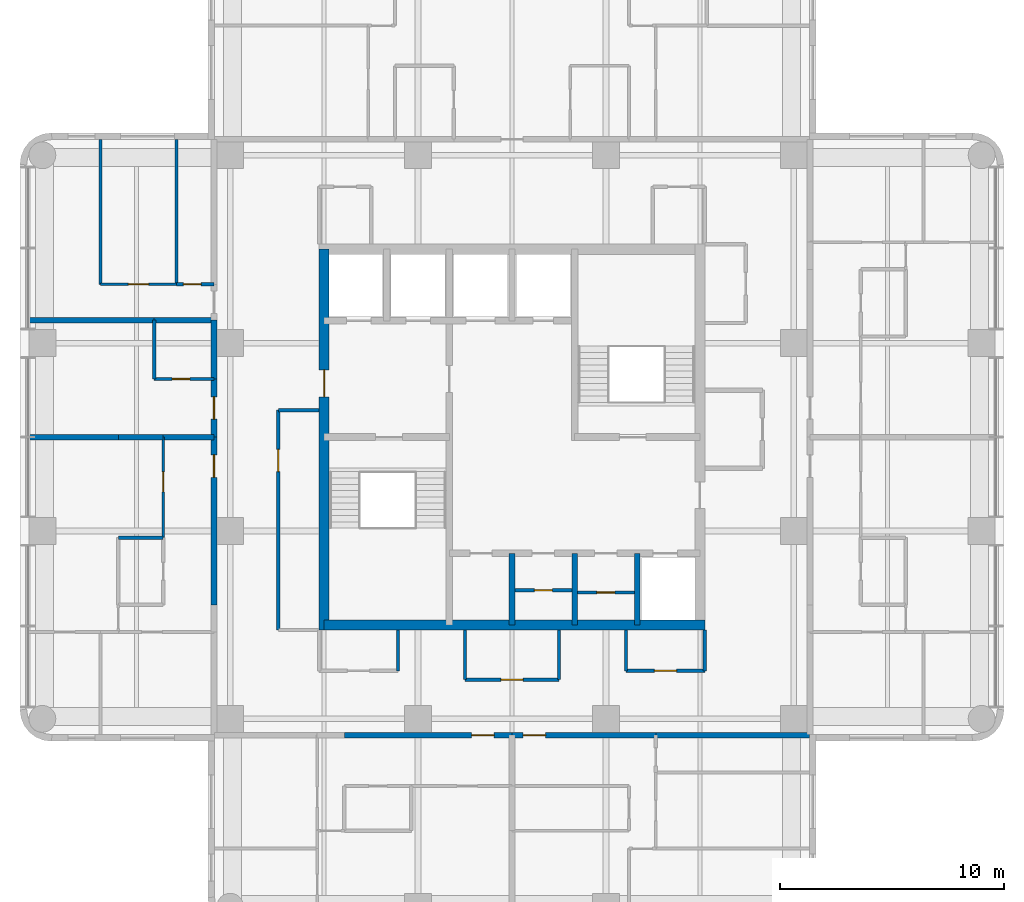
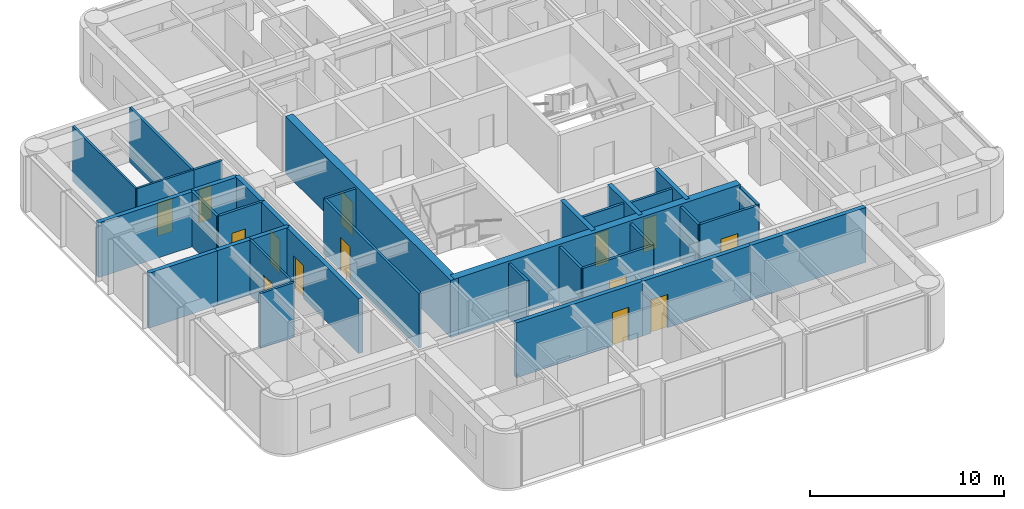
# One storey, part 5 of 10: 35 walls, 14 doors, 14 openings.
"""IFC4 building model written with IfcOpenShell, lengths in metres."""

from ifc_helpers import new_model, si_unit, direction, frame, frame_2d, origin, place, context, subcontext, project, spatial, rectangle, extrude, material, layer, layer_set, type_object, element, fill, save


model = new_model("IFC4")

# Units and contexts
model_context = context("Model", 3, precision=1e-05, world=origin(), true_north=direction((0.0, 1.0)))
body_context = subcontext(model_context, "Body", "Model", "MODEL_VIEW")
ifc_project = project(units=[si_unit("LENGTHUNIT", "METRE"), si_unit("AREAUNIT", "SQUARE_METRE"), si_unit("VOLUMEUNIT", "CUBIC_METRE"), si_unit("PLANEANGLEUNIT", "RADIAN"), si_unit("MASSUNIT", "GRAM", prefix="KILO")], contexts=[model_context])

# Site, building, storey
site_placement = place(None, origin())
site = spatial("IfcSite", under=ifc_project, at=site_placement, CompositionType="ELEMENT")
building_placement = place(site_placement, origin())
building = spatial("IfcBuilding", under=site, at=building_placement, Name="Torre Alcanfor", CompositionType="ELEMENT")
storey_placement = place(building_placement, frame((0.0, 0.0, 293.699951171875)))
storey = spatial("IfcBuildingStorey", under=building, at=storey_placement, Name="L77", CompositionType="ELEMENT", Elevation=293.699951171875)

# Wall, opening, door
ifc_material_1 = material(Name="Concrete block masonry, hollow blocks NMX-C-404 9 MPa", Category="masonry")
ifc_layer_1 = layer(ifc_material_1, 0.25)
ifc_layer_set_1 = layer_set([ifc_layer_1], Name="Apartment entrance wall 250 EI 60")
wall_type_1 = type_object("IfcWallType", Name="Apartment entrance wall 250 EI 60", PredefinedType="PARTITIONING", material=ifc_layer_set_1)
wall_1_placement = place(storey_placement, frame((35.8291015625, 16.074951171875, 0.0), z_axis=(0.0, 0.0, 1.0), x_axis=(-1.0, 0.0, 0.0)))
wall_1 = element("IfcWall", 1, at=wall_1_placement, inside=storey, type_object=wall_type_1, Name="Partition L77-CORR / L77-S1-LIVING", PredefinedType="PARTITIONING", context=body_context, shape_type="SweptSolid", body=[
    extrude(rectangle(XDim=6.42919921875, YDim=0.25, at=frame_2d((3.214599609375, 0.0))), origin(), (0.0, 0.0, 1.0), 3.449951171875),
])
opening_1_placement = place(wall_1_placement, frame((4.928955078125, 0.0, 0.0)))
opening_1 = element("IfcOpeningElement", 2, at=opening_1_placement, cuts=wall_1, Name="Opening D-A1", PredefinedType="OPENING", context=body_context, shape_type="SweptSolid", body=[
    extrude(rectangle(XDim=1.0, YDim=2.10009765625, at=frame_2d((0.5, 1.050048828125))), frame((0.0, 0.135009765625, 0.0), z_axis=(0.0, -1.0, 0.0), x_axis=(1.0, 0.0, 0.0)), (0.0, 0.0, 1.0), 0.27001953125),
])
ifc_material_2 = material(Name="Galvanised steel sheet ASTM A653", Category="steel")
door_type_1 = type_object("IfcDoorType", Name="Apartment entrance door FD60 1000x2100", OperationType="SINGLE_SWING_LEFT", PredefinedType="DOOR", material=ifc_material_2)
door_1_placement = place(opening_1_placement, origin())
door_1 = element("IfcDoor", 3, at=door_1_placement, inside=storey, type_object=door_type_1, Name="Apartment entrance L77-S1", OperationType="SINGLE_SWING_RIGHT", OverallHeight=2.10009765625, OverallWidth=1.0, PredefinedType="DOOR", context=body_context, shape_type="SweptSolid", body=[
    extrude(rectangle(XDim=1.0, YDim=2.10009765625, at=frame_2d((0.5, 1.050048828125))), frame((0.0, 0.02490234375, 0.0), z_axis=(0.0, -1.0, 0.0), x_axis=(1.0, 0.0, 0.0)), (0.0, 0.0, 1.0), 0.050048828125),
])
fill(opening_1, door_1)

# Wall
wall_2_placement = place(storey_placement, frame((42.699951171875, 16.074951171875, 0.0), z_axis=(0.0, 0.0, 1.0), x_axis=(-1.0, 0.0, 0.0)))
element("IfcWall", 4, at=wall_2_placement, inside=storey, type_object=wall_type_1, Name="Partition L77-CORR / L77-S1-BATH", PredefinedType="PARTITIONING", context=body_context, shape_type="SweptSolid", body=[
    extrude(rectangle(XDim=6.870849609375, YDim=0.25, at=frame_2d((3.435546875, 0.0))), origin(), (0.0, 0.0, 1.0), 3.449951171875),
])

# Wall, opening, door
wall_3_placement = place(storey_placement, frame((29.39990234375, 16.074951171875, 0.0), z_axis=(0.0, 0.0, 1.0), x_axis=(-1.0, 0.0, 0.0)))
wall_3 = element("IfcWall", 5, at=wall_3_placement, inside=storey, type_object=wall_type_1, Name="Partition L77-CORR / L77-S2-ZAG", PredefinedType="PARTITIONING", context=body_context, shape_type="SweptSolid", body=[
    extrude(rectangle(XDim=7.5, YDim=0.25, at=frame_2d((3.75, 0.0))), origin(), (0.0, 0.0, 1.0), 3.449951171875),
])
opening_2_placement = place(wall_3_placement, frame((0.800048828125, 0.0, 0.0)))
opening_2 = element("IfcOpeningElement", 6, at=opening_2_placement, cuts=wall_3, Name="Opening D-A1", PredefinedType="OPENING", context=body_context, shape_type="SweptSolid", body=[
    extrude(rectangle(XDim=1.0, YDim=2.10009765625, at=frame_2d((0.5, 1.050048828125))), frame((0.0, 0.135009765625, 0.0), z_axis=(0.0, -1.0, 0.0), x_axis=(1.0, 0.0, 0.0)), (0.0, 0.0, 1.0), 0.27001953125),
])
door_2_placement = place(opening_2_placement, origin())
door_2 = element("IfcDoor", 7, at=door_2_placement, inside=storey, type_object=door_type_1, Name="Apartment entrance L77-S2", OperationType="SINGLE_SWING_LEFT", OverallHeight=2.10009765625, OverallWidth=1.0, PredefinedType="DOOR", context=body_context, shape_type="SweptSolid", body=[
    extrude(rectangle(XDim=1.0, YDim=2.10009765625, at=frame_2d((0.5, 1.050048828125))), frame((0.0, 0.02490234375, 0.0), z_axis=(0.0, -1.0, 0.0), x_axis=(1.0, 0.0, 0.0)), (0.0, 0.0, 1.0), 0.050048828125),
])
fill(opening_2, door_2)

wall_4_placement = place(storey_placement, frame((16.074951171875, 21.89990234375, 0.0), z_axis=(0.0, 0.0, 1.0), x_axis=(0.0, 1.0, 0.0)))
wall_4 = element("IfcWall", 8, at=wall_4_placement, inside=storey, type_object=wall_type_1, Name="Partition L77-CORR / L77-W1-ZAG", PredefinedType="PARTITIONING", context=body_context, shape_type="SweptSolid", body=[
    extrude(rectangle(XDim=7.5, YDim=0.25, at=frame_2d((3.75, 0.0))), origin(), (0.0, 0.0, 1.0), 3.449951171875),
])
opening_3_placement = place(wall_4_placement, frame((5.699951171875, 0.0, 0.0)))
opening_3 = element("IfcOpeningElement", 9, at=opening_3_placement, cuts=wall_4, Name="Opening D-A1", PredefinedType="OPENING", context=body_context, shape_type="SweptSolid", body=[
    extrude(rectangle(XDim=1.0, YDim=2.10009765625, at=frame_2d((0.5, 1.050048828125))), frame((0.0, 0.135009765625, 0.0), z_axis=(0.0, -1.0, 0.0), x_axis=(1.0, 0.0, 0.0)), (0.0, 0.0, 1.0), 0.27001953125),
])
door_3_placement = place(opening_3_placement, origin())
door_3 = element("IfcDoor", 10, at=door_3_placement, inside=storey, type_object=door_type_1, Name="Apartment entrance L77-W1", OperationType="SINGLE_SWING_RIGHT", OverallHeight=2.10009765625, OverallWidth=1.0, PredefinedType="DOOR", context=body_context, shape_type="SweptSolid", body=[
    extrude(rectangle(XDim=1.0, YDim=2.10009765625, at=frame_2d((0.5, 1.050048828125))), frame((0.0, 0.02490234375, 0.0), z_axis=(0.0, -1.0, 0.0), x_axis=(1.0, 0.0, 0.0)), (0.0, 0.0, 1.0), 0.050048828125),
])
fill(opening_3, door_3)

wall_5_placement = place(storey_placement, frame((16.074951171875, 29.39990234375, 0.0), z_axis=(0.0, 0.0, 1.0), x_axis=(0.0, 1.0, 0.0)))
wall_5 = element("IfcWall", 11, at=wall_5_placement, inside=storey, type_object=wall_type_1, Name="Partition L77-CORR / L77-W2A-STUDIO", PredefinedType="PARTITIONING", context=body_context, shape_type="SweptSolid", body=[
    extrude(rectangle(XDim=2.60009765625, YDim=0.25, at=frame_2d((1.300048828125, 0.0))), origin(), (0.0, 0.0, 1.0), 3.449951171875),
])
opening_4_placement = place(wall_5_placement, frame((0.800048828125, 0.0, 0.0)))
opening_4 = element("IfcOpeningElement", 12, at=opening_4_placement, cuts=wall_5, Name="Opening D-A1", PredefinedType="OPENING", context=body_context, shape_type="SweptSolid", body=[
    extrude(rectangle(XDim=1.0, YDim=2.10009765625, at=frame_2d((0.5, 1.050048828125))), frame((0.0, 0.135009765625, 0.0), z_axis=(0.0, -1.0, 0.0), x_axis=(1.0, 0.0, 0.0)), (0.0, 0.0, 1.0), 0.27001953125),
])
door_4_placement = place(opening_4_placement, origin())
door_4 = element("IfcDoor", 13, at=door_4_placement, inside=storey, type_object=door_type_1, Name="Apartment entrance L77-W2A", OperationType="SINGLE_SWING_LEFT", OverallHeight=2.10009765625, OverallWidth=1.0, PredefinedType="DOOR", context=body_context, shape_type="SweptSolid", body=[
    extrude(rectangle(XDim=1.0, YDim=2.10009765625, at=frame_2d((0.5, 1.050048828125))), frame((0.0, 0.02490234375, 0.0), z_axis=(0.0, -1.0, 0.0), x_axis=(1.0, 0.0, 0.0)), (0.0, 0.0, 1.0), 0.050048828125),
])
fill(opening_4, door_4)

# Wall
wall_6_placement = place(storey_placement, frame((16.074951171875, 32.0, 0.0), z_axis=(0.0, 0.0, 1.0), x_axis=(0.0, 1.0, 0.0)))
element("IfcWall", 14, at=wall_6_placement, inside=storey, type_object=wall_type_1, Name="Partition L77-CORR / L77-W2A-BATH", PredefinedType="PARTITIONING", context=body_context, shape_type="SweptSolid", body=[
    extrude(rectangle(XDim=2.62890625, YDim=0.25, at=frame_2d((1.314453125, 0.0))), origin(), (0.0, 0.0, 1.0), 3.449951171875),
])

# Wall, opening, door
ifc_material_3 = material(Name="Gypsum board on steel studs", Category="steel")
ifc_layer_2 = layer(ifc_material_3, 0.1201171875)
ifc_layer_set_2 = layer_set([ifc_layer_2], Name="Apartment partition 120")
wall_type_2 = type_object("IfcWallType", Name="Apartment partition 120", PredefinedType="PARTITIONING", material=ifc_layer_set_2)
wall_7_placement = place(storey_placement, frame((13.800048828125, 29.39990234375, 0.0), z_axis=(0.0, 0.0, 1.0), x_axis=(0.0, -1.0, 0.0)))
wall_7 = element("IfcWall", 15, at=wall_7_placement, inside=storey, type_object=wall_type_2, Name="Partition L77-W1-ZAG / L77-W1-KITCHEN", PredefinedType="PARTITIONING", context=body_context, shape_type="SweptSolid", body=[
    extrude(rectangle(XDim=4.5, YDim=0.1201171875, at=frame_2d((2.25, 0.0))), origin(), (0.0, 0.0, 1.0), 3.449951171875),
])
opening_5_placement = place(wall_7_placement, frame((1.550048828125, 0.0, 0.0)))
opening_5 = element("IfcOpeningElement", 16, at=opening_5_placement, cuts=wall_7, Name="Opening D-R1", PredefinedType="OPENING", context=body_context, shape_type="SweptSolid", body=[
    extrude(rectangle(XDim=0.89990234375, YDim=2.10009765625, at=frame_2d((0.449951171875, 1.050048828125))), frame((0.0, 0.070068359375, 0.0), z_axis=(0.0, -1.0, 0.0), x_axis=(1.0, 0.0, 0.0)), (0.0, 0.0, 1.0), 0.14013671875),
])
ifc_material_4 = material(Name="Timber", Category="wood")
door_type_2 = type_object("IfcDoorType", Name="Internal door 900x2100", OperationType="SINGLE_SWING_LEFT", PredefinedType="DOOR", material=ifc_material_4)
door_5_placement = place(opening_5_placement, frame((0.89990234375, 0.0, 0.0), z_axis=(0.0, 0.0, 1.0), x_axis=(-1.0, 0.0, 0.0)))
door_5 = element("IfcDoor", 17, at=door_5_placement, inside=storey, type_object=door_type_2, Name="Door L77-W1 kitchen", OperationType="SINGLE_SWING_RIGHT", OverallHeight=2.10009765625, OverallWidth=0.89990234375, PredefinedType="DOOR", context=body_context, shape_type="SweptSolid", body=[
    extrude(rectangle(XDim=0.89990234375, YDim=2.10009765625, at=frame_2d((0.449951171875, 1.050048828125))), frame((0.0, 0.025146484375, 0.0), z_axis=(0.0, -1.0, 0.0), x_axis=(1.0, 0.0, 0.0)), (0.0, 0.0, 1.0), 0.050048828125),
])
fill(opening_5, door_5)

# Wall
wall_8_placement = place(storey_placement, frame((11.0, 42.699951171875, 0.0), z_axis=(0.0, 0.0, 1.0), x_axis=(0.0, -1.0, 0.0)))
element("IfcWall", 18, at=wall_8_placement, inside=storey, type_object=wall_type_2, Name="Partition L77-W2B-LIVING / L77-W2B-MASTER", PredefinedType="PARTITIONING", context=body_context, shape_type="SweptSolid", body=[
    extrude(rectangle(XDim=6.470947265625, YDim=0.1201171875, at=frame_2d((3.2353515625, 0.0))), origin(), (0.0, 0.0, 1.0), 3.449951171875),
])

# Wall, opening, door
wall_9_placement = place(storey_placement, frame((11.0, 36.22900390625, 0.0), z_axis=(0.0, 0.0, 1.0), x_axis=(1.0, 0.0, 0.0)))
wall_9 = element("IfcWall", 19, at=wall_9_placement, inside=storey, type_object=wall_type_2, Name="Partition L77-W2B-LIVING / L77-W2B-MASTER", PredefinedType="PARTITIONING", context=body_context, shape_type="SweptSolid", body=[
    extrude(rectangle(XDim=3.39990234375, YDim=0.1201171875, at=frame_2d((1.699951171875, 0.0))), origin(), (0.0, 0.0, 1.0), 3.449951171875),
])
opening_6_placement = place(wall_9_placement, frame((1.25, 0.0, 0.0)))
opening_6 = element("IfcOpeningElement", 20, at=opening_6_placement, cuts=wall_9, Name="Opening D-R1", PredefinedType="OPENING", context=body_context, shape_type="SweptSolid", body=[
    extrude(rectangle(XDim=0.89990234375, YDim=2.10009765625, at=frame_2d((0.449951171875, 1.050048828125))), frame((0.0, 0.070068359375, 0.0), z_axis=(0.0, -1.0, 0.0), x_axis=(1.0, 0.0, 0.0)), (0.0, 0.0, 1.0), 0.14013671875),
])
door_6_placement = place(opening_6_placement, origin())
door_6 = element("IfcDoor", 21, at=door_6_placement, inside=storey, type_object=door_type_2, Name="Door L77-W2B master", OperationType="SINGLE_SWING_LEFT", OverallHeight=2.10009765625, OverallWidth=0.89990234375, PredefinedType="DOOR", context=body_context, shape_type="SweptSolid", body=[
    extrude(rectangle(XDim=0.89990234375, YDim=2.10009765625, at=frame_2d((0.449951171875, 1.050048828125))), frame((0.0, 0.02490234375, 0.0), z_axis=(0.0, -1.0, 0.0), x_axis=(1.0, 0.0, 0.0)), (0.0, 0.0, 1.0), 0.050048828125),
])
fill(opening_6, door_6)

# Walls
ifc_material_5 = material(Name="Concrete f'c 70 MPa", Category="concrete")
ifc_layer_3 = layer(ifc_material_5, 0.25)
ifc_layer_set_3 = layer_set([ifc_layer_3], Name="Core shaft wall 250 f'c70")
wall_type_3 = type_object("IfcWallType", Name="Core shaft wall 250 f'c70", PredefinedType="SHEAR", material=ifc_layer_set_3)
for number, where, z_axis, x_axis, name in (
    (22, (29.39990234375, 21.0, 0.0), (0.0, 0.0, 1.0), (0.0, 1.0, 0.0), "Core wall X294S L77"),
    (23, (32.199951171875, 21.0, 0.0), (0.0, 0.0, 1.0), (0.0, 1.0, 0.0), "Core wall X322S L77"),
    (24, (35.0, 21.0, 0.0), (0.0, 0.0, 1.0), (0.0, 1.0, 0.0), "Core wall X350S L77"),
):
    element("IfcWall", number, at=place(storey_placement, frame(where, z_axis=z_axis, x_axis=x_axis)), inside=storey, type_object=wall_type_3, Name=name, PredefinedType="SHEAR", context=body_context, shape_type="SweptSolid", body=[
        extrude(rectangle(XDim=3.199951171875, YDim=0.25, at=frame_2d((1.60009765625, 0.0))), origin(), (0.0, 0.0, 1.0), 3.60009765625),
    ])
ifc_material_6 = material(Name="Concrete f'c 70 MPa", Category="concrete")
ifc_layer_4 = layer(ifc_material_6, 0.449951171875)
ifc_layer_set_4 = layer_set([ifc_layer_4], Name="Core wall 450 f'c70")
wall_type_4 = type_object("IfcWallType", Name="Core wall 450 f'c70", PredefinedType="SHEAR", material=ifc_layer_set_4)
wall_10_placement = place(storey_placement, frame((21.0, 21.0, 0.0), z_axis=(0.0, 0.0, 1.0), x_axis=(1.0, 0.0, 0.0)))
element("IfcWall", 25, at=wall_10_placement, inside=storey, type_object=wall_type_4, Name="Core wall OUT-S L77", PredefinedType="SHEAR", context=body_context, shape_type="SweptSolid", body=[
    extrude(rectangle(XDim=17.02490234375, YDim=0.449951171875, at=frame_2d((8.512451171875, 0.0))), origin(), (0.0, 0.0, 1.0), 3.60009765625),
])

# Wall, opening, door
wall_11_placement = place(storey_placement, frame((21.0, 37.800048828125, 0.0), z_axis=(0.0, 0.0, 1.0), x_axis=(0.0, -1.0, 0.0)))
wall_11 = element("IfcWall", 26, at=wall_11_placement, inside=storey, type_object=wall_type_4, Name="Core wall OUT-W L77", PredefinedType="SHEAR", context=body_context, shape_type="SweptSolid", body=[
    extrude(rectangle(XDim=17.025146484375, YDim=0.449951171875, at=frame_2d((8.5126953125, 0.0))), origin(), (0.0, 0.0, 1.0), 3.60009765625),
])
opening_7_placement = place(wall_11_placement, frame((5.39990234375, 0.0, 0.0)))
opening_7 = element("IfcOpeningElement", 27, at=opening_7_placement, cuts=wall_11, Name="Opening D-L1", PredefinedType="OPENING", context=body_context, shape_type="SweptSolid", body=[
    extrude(rectangle(XDim=1.199951171875, YDim=2.10009765625, at=frame_2d((0.60009765625, 1.050048828125))), frame((0.0, 0.23486328125, 0.0), z_axis=(0.0, -1.0, 0.0), x_axis=(1.0, 0.0, 0.0)), (0.0, 0.0, 1.0), 0.469970703125),
])
ifc_material_7 = material(Name="Galvanised steel sheet ASTM A653", Category="steel")
door_type_3 = type_object("IfcDoorType", Name="Lobby door FD120 1200x2100", OperationType="SINGLE_SWING_LEFT", PredefinedType="DOOR", material=ifc_material_7)
door_7_placement = place(opening_7_placement, origin())
door_7 = element("IfcDoor", 28, at=door_7_placement, inside=storey, type_object=door_type_3, Name="Firefighting lobby door L77", OperationType="SINGLE_SWING_RIGHT", OverallHeight=2.10009765625, OverallWidth=1.199951171875, PredefinedType="DOOR", context=body_context, shape_type="SweptSolid", body=[
    extrude(rectangle(XDim=1.199951171875, YDim=2.10009765625, at=frame_2d((0.60009765625, 1.050048828125))), frame((0.0, 0.02490234375, 0.0), z_axis=(0.0, -1.0, 0.0), x_axis=(1.0, 0.0, 0.0)), (0.0, 0.0, 1.0), 0.050048828125),
])
fill(opening_7, door_7)

# Walls
ifc_material_8 = material(Name="Concrete block masonry, hollow blocks NMX-C-404 9 MPa", Category="masonry")
ifc_layer_5 = layer(ifc_material_8, 0.25)
ifc_layer_set_5 = layer_set([ifc_layer_5], Name="Party wall 250 EI 60")
wall_type_5 = type_object("IfcWallType", Name="Party wall 250 EI 60", PredefinedType="PARTITIONING", material=ifc_layer_set_5)
wall_12_placement = place(storey_placement, frame((16.074951171875, 29.39990234375, 0.0), z_axis=(0.0, 0.0, 1.0), x_axis=(-1.0, 0.0, 0.0)))
element("IfcWall", 29, at=wall_12_placement, inside=storey, type_object=wall_type_5, Name="Partition L77-W1-ZAG / L77-W2A-STUDIO", PredefinedType="PARTITIONING", context=body_context, shape_type="SweptSolid", body=[
    extrude(rectangle(XDim=2.27490234375, YDim=0.25, at=frame_2d((1.137451171875, 0.0))), origin(), (0.0, 0.0, 1.0), 3.449951171875),
])
wall_13_placement = place(storey_placement, frame((13.800048828125, 29.39990234375, 0.0), z_axis=(0.0, 0.0, 1.0), x_axis=(-1.0, 0.0, 0.0)))
element("IfcWall", 30, at=wall_13_placement, inside=storey, type_object=wall_type_5, Name="Partition L77-W1-KITCHEN / L77-W2A-STUDIO", PredefinedType="PARTITIONING", context=body_context, shape_type="SweptSolid", body=[
    extrude(rectangle(XDim=2.0, YDim=0.25, at=frame_2d((1.0, 0.0))), origin(), (0.0, 0.0, 1.0), 3.449951171875),
])
wall_14_placement = place(storey_placement, frame((11.800048828125, 29.39990234375, 0.0), z_axis=(0.0, 0.0, 1.0), x_axis=(-1.0, 0.0, 0.0)))
element("IfcWall", 31, at=wall_14_placement, inside=storey, type_object=wall_type_5, Name="Partition L77-W1-LIVING / L77-W2A-STUDIO", PredefinedType="PARTITIONING", context=body_context, shape_type="SweptSolid", body=[
    extrude(rectangle(XDim=4.050048828125, YDim=0.25, at=frame_2d((2.02490234375, 0.0))), origin(), (0.0, 0.0, 1.0), 3.449951171875),
])
wall_15_placement = place(storey_placement, frame((7.75, 34.62890625, 0.0), z_axis=(0.0, 0.0, 1.0), x_axis=(1.0, 0.0, 0.0)))
element("IfcWall", 32, at=wall_15_placement, inside=storey, type_object=wall_type_5, Name="Partition L77-W2A-STUDIO / L77-W2B-LIVING", PredefinedType="PARTITIONING", context=body_context, shape_type="SweptSolid", body=[
    extrude(rectangle(XDim=5.64990234375, YDim=0.25, at=frame_2d((2.824951171875, 0.0))), origin(), (0.0, 0.0, 1.0), 3.449951171875),
])
wall_16_placement = place(storey_placement, frame((13.39990234375, 34.62890625, 0.0), z_axis=(0.0, 0.0, 1.0), x_axis=(1.0, 0.0, 0.0)))
element("IfcWall", 33, at=wall_16_placement, inside=storey, type_object=wall_type_5, Name="Partition L77-W2A-BATH / L77-W2B-LIVING", PredefinedType="PARTITIONING", context=body_context, shape_type="SweptSolid", body=[
    extrude(rectangle(XDim=2.675048828125, YDim=0.25, at=frame_2d((1.33740234375, 0.0))), origin(), (0.0, 0.0, 1.0), 3.449951171875),
])
ifc_material_9 = material(Name="Concrete block masonry, hollow blocks NMX-C-404 9 MPa", Category="masonry")
ifc_layer_6 = layer(ifc_material_9, 0.14990234375)
ifc_layer_set_6 = layer_set([ifc_layer_6], Name="Residents' room partition 150")
wall_type_6 = type_object("IfcWallType", Name="Residents' room partition 150", PredefinedType="PARTITIONING", material=ifc_layer_set_6)
wall_17_placement = place(storey_placement, frame((24.300048828125, 18.949951171875, 0.0), z_axis=(0.0, 0.0, 1.0), x_axis=(0.0, 1.0, 0.0)))
element("IfcWall", 34, at=wall_17_placement, inside=storey, type_object=wall_type_6, Name="Partition L77-CORR / L77-G05", PredefinedType="PARTITIONING", context=body_context, shape_type="SweptSolid", body=[
    extrude(rectangle(XDim=1.824951171875, YDim=0.14990234375, at=frame_2d((0.91259765625, 0.0))), origin(), (0.0, 0.0, 1.0), 3.449951171875),
])
wall_18_placement = place(storey_placement, frame((27.300048828125, 20.77490234375, 0.0), z_axis=(0.0, 0.0, 1.0), x_axis=(0.0, -1.0, 0.0)))
element("IfcWall", 35, at=wall_18_placement, inside=storey, type_object=wall_type_6, Name="Partition L77-CORR / L77-G06", PredefinedType="PARTITIONING", context=body_context, shape_type="SweptSolid", body=[
    extrude(rectangle(XDim=2.224853515625, YDim=0.14990234375, at=frame_2d((1.1123046875, 0.0))), origin(), (0.0, 0.0, 1.0), 3.449951171875),
])

# Wall, opening, door
wall_19_placement = place(storey_placement, frame((27.300048828125, 18.550048828125, 0.0), z_axis=(0.0, 0.0, 1.0), x_axis=(1.0, 0.0, 0.0)))
wall_19 = element("IfcWall", 36, at=wall_19_placement, inside=storey, type_object=wall_type_6, Name="Partition L77-CORR / L77-G06", PredefinedType="PARTITIONING", context=body_context, shape_type="SweptSolid", body=[
    extrude(rectangle(XDim=4.199951171875, YDim=0.14990234375, at=frame_2d((2.10009765625, 0.0))), origin(), (0.0, 0.0, 1.0), 3.449951171875),
])
opening_8_placement = place(wall_19_placement, frame((1.60009765625, 0.0, 0.0)))
opening_8 = element("IfcOpeningElement", 37, at=opening_8_placement, cuts=wall_19, Name="Opening D-M1", PredefinedType="OPENING", context=body_context, shape_type="SweptSolid", body=[
    extrude(rectangle(XDim=1.0, YDim=2.10009765625, at=frame_2d((0.5, 1.050048828125))), frame((0.0, 0.0849609375, 0.0), z_axis=(0.0, -1.0, 0.0), x_axis=(1.0, 0.0, 0.0)), (0.0, 0.0, 1.0), 0.169921875),
])
ifc_material_10 = material(Name="Timber", Category="wood")
door_type_4 = type_object("IfcDoorType", Name="Residents' room door 1000x2100", OperationType="SINGLE_SWING_LEFT", PredefinedType="DOOR", material=ifc_material_10)
door_8_placement = place(opening_8_placement, origin())
door_8 = element("IfcDoor", 38, at=door_8_placement, inside=storey, type_object=door_type_4, Name="Door L77-G06 linen store", OperationType="SINGLE_SWING_LEFT", OverallHeight=2.10009765625, OverallWidth=1.0, PredefinedType="DOOR", context=body_context, shape_type="SweptSolid", body=[
    extrude(rectangle(XDim=1.0, YDim=2.10009765625, at=frame_2d((0.5, 1.050048828125))), frame((0.0, 0.02490234375, 0.0), z_axis=(0.0, -1.0, 0.0), x_axis=(1.0, 0.0, 0.0)), (0.0, 0.0, 1.0), 0.050048828125),
])
fill(opening_8, door_8)

# Walls
wall_20_placement = place(storey_placement, frame((31.5, 18.550048828125, 0.0), z_axis=(0.0, 0.0, 1.0), x_axis=(0.0, 1.0, 0.0)))
element("IfcWall", 39, at=wall_20_placement, inside=storey, type_object=wall_type_6, Name="Partition L77-CORR / L77-G06", PredefinedType="PARTITIONING", context=body_context, shape_type="SweptSolid", body=[
    extrude(rectangle(XDim=2.224853515625, YDim=0.14990234375, at=frame_2d((1.1123046875, 0.0))), origin(), (0.0, 0.0, 1.0), 3.449951171875),
])
wall_21_placement = place(storey_placement, frame((34.5, 20.77490234375, 0.0), z_axis=(0.0, 0.0, 1.0), x_axis=(0.0, -1.0, 0.0)))
element("IfcWall", 40, at=wall_21_placement, inside=storey, type_object=wall_type_6, Name="Partition L77-CORR / L77-G07", PredefinedType="PARTITIONING", context=body_context, shape_type="SweptSolid", body=[
    extrude(rectangle(XDim=1.824951171875, YDim=0.14990234375, at=frame_2d((0.91259765625, 0.0))), origin(), (0.0, 0.0, 1.0), 3.449951171875),
])

# Wall, opening, door
wall_22_placement = place(storey_placement, frame((34.5, 18.949951171875, 0.0), z_axis=(0.0, 0.0, 1.0), x_axis=(1.0, 0.0, 0.0)))
wall_22 = element("IfcWall", 41, at=wall_22_placement, inside=storey, type_object=wall_type_6, Name="Partition L77-CORR / L77-G07", PredefinedType="PARTITIONING", context=body_context, shape_type="SweptSolid", body=[
    extrude(rectangle(XDim=3.52490234375, YDim=0.14990234375, at=frame_2d((1.762451171875, 0.0))), origin(), (0.0, 0.0, 1.0), 3.449951171875),
])
opening_9_placement = place(wall_22_placement, frame((1.262451171875, 0.0, 0.0)))
opening_9 = element("IfcOpeningElement", 42, at=opening_9_placement, cuts=wall_22, Name="Opening D-M1", PredefinedType="OPENING", context=body_context, shape_type="SweptSolid", body=[
    extrude(rectangle(XDim=1.0, YDim=2.10009765625, at=frame_2d((0.5, 1.050048828125))), frame((0.0, 0.0849609375, 0.0), z_axis=(0.0, -1.0, 0.0), x_axis=(1.0, 0.0, 0.0)), (0.0, 0.0, 1.0), 0.169921875),
])
door_9_placement = place(opening_9_placement, origin())
door_9 = element("IfcDoor", 43, at=door_9_placement, inside=storey, type_object=door_type_4, Name="Door L77-G07 residents' lockers", OperationType="SINGLE_SWING_LEFT", OverallHeight=2.10009765625, OverallWidth=1.0, PredefinedType="DOOR", context=body_context, shape_type="SweptSolid", body=[
    extrude(rectangle(XDim=1.0, YDim=2.10009765625, at=frame_2d((0.5, 1.050048828125))), frame((0.0, 0.02490234375, 0.0), z_axis=(0.0, -1.0, 0.0), x_axis=(1.0, 0.0, 0.0)), (0.0, 0.0, 1.0), 0.050048828125),
])
fill(opening_9, door_9)

# Walls
for number, where, z_axis, x_axis, name in (
    (44, (38.02490234375, 18.949951171875, 0.0), (0.0, 0.0, 1.0), (0.0, 1.0, 0.0), "Partition L77-CORR / L77-G07"),
    (45, (20.77490234375, 30.60009765625, 0.0), (0.0, 0.0, 1.0), (-1.0, 0.0, 0.0), "Partition L77-CORR / L77-G08"),
):
    element("IfcWall", number, at=place(storey_placement, frame(where, z_axis=z_axis, x_axis=x_axis)), inside=storey, type_object=wall_type_6, Name=name, PredefinedType="PARTITIONING", context=body_context, shape_type="SweptSolid", body=[
        extrude(rectangle(XDim=1.824951171875, YDim=0.14990234375, at=frame_2d((0.91259765625, 0.0))), origin(), (0.0, 0.0, 1.0), 3.449951171875),
    ])

# Wall, opening, door
wall_23_placement = place(storey_placement, frame((18.949951171875, 30.60009765625, 0.0), z_axis=(0.0, 0.0, 1.0), x_axis=(0.0, -1.0, 0.0)))
wall_23 = element("IfcWall", 46, at=wall_23_placement, inside=storey, type_object=wall_type_6, Name="Partition L77-CORR / L77-G08", PredefinedType="PARTITIONING", context=body_context, shape_type="SweptSolid", body=[
    extrude(rectangle(XDim=9.8251953125, YDim=0.14990234375, at=frame_2d((4.91259765625, 0.0))), origin(), (0.0, 0.0, 1.0), 3.449951171875),
])
opening_10_placement = place(wall_23_placement, frame((1.75, 0.0, 0.0)))
opening_10 = element("IfcOpeningElement", 47, at=opening_10_placement, cuts=wall_23, Name="Opening D-M1", PredefinedType="OPENING", context=body_context, shape_type="SweptSolid", body=[
    extrude(rectangle(XDim=1.0, YDim=2.10009765625, at=frame_2d((0.5, 1.050048828125))), frame((0.0, 0.0849609375, 0.0), z_axis=(0.0, -1.0, 0.0), x_axis=(1.0, 0.0, 0.0)), (0.0, 0.0, 1.0), 0.169921875),
])
door_10_placement = place(opening_10_placement, origin())
door_10 = element("IfcDoor", 48, at=door_10_placement, inside=storey, type_object=door_type_4, Name="Door L77-G08 residents' lockers", OperationType="SINGLE_SWING_LEFT", OverallHeight=2.10009765625, OverallWidth=1.0, PredefinedType="DOOR", context=body_context, shape_type="SweptSolid", body=[
    extrude(rectangle(XDim=1.0, YDim=2.10009765625, at=frame_2d((0.5, 1.050048828125))), frame((0.0, 0.02490234375, 0.0), z_axis=(0.0, -1.0, 0.0), x_axis=(1.0, 0.0, 0.0)), (0.0, 0.0, 1.0), 0.050048828125),
])
fill(opening_10, door_10)

wall_24_placement = place(storey_placement, frame((29.52490234375, 22.550048828125, 0.0), z_axis=(0.0, 0.0, 1.0), x_axis=(1.0, 0.0, 0.0)))
wall_24 = element("IfcWall", 49, at=wall_24_placement, inside=storey, type_object=wall_type_6, Name="Partition L77-PA2R / L77-PA2C", PredefinedType="PARTITIONING", context=body_context, shape_type="SweptSolid", body=[
    extrude(rectangle(XDim=2.550048828125, YDim=0.14990234375, at=frame_2d((1.27490234375, 0.0))), origin(), (0.0, 0.0, 1.0), 3.449951171875),
])
opening_11_placement = place(wall_24_placement, frame((0.875, 0.0, 0.0)))
opening_11 = element("IfcOpeningElement", 50, at=opening_11_placement, cuts=wall_24, Name="Opening D-R2", PredefinedType="OPENING", context=body_context, shape_type="SweptSolid", body=[
    extrude(rectangle(XDim=0.800048828125, YDim=2.10009765625, at=frame_2d((0.39990234375, 1.050048828125))), frame((0.0, 0.0849609375, 0.0), z_axis=(0.0, -1.0, 0.0), x_axis=(1.0, 0.0, 0.0)), (0.0, 0.0, 1.0), 0.169921875),
])
ifc_material_11 = material(Name="Timber", Category="wood")
door_type_5 = type_object("IfcDoorType", Name="Bathroom door 800x2100", OperationType="SINGLE_SWING_LEFT", PredefinedType="DOOR", material=ifc_material_11)
door_11_placement = place(opening_11_placement, frame((0.800048828125, 0.0, 0.0), z_axis=(0.0, 0.0, 1.0), x_axis=(-1.0, 0.0, 0.0)))
door_11 = element("IfcDoor", 51, at=door_11_placement, inside=storey, type_object=door_type_5, Name="Linen cupboard door L77", OperationType="SINGLE_SWING_RIGHT", OverallHeight=2.10009765625, OverallWidth=0.800048828125, PredefinedType="DOOR", context=body_context, shape_type="SweptSolid", body=[
    extrude(rectangle(XDim=0.800048828125, YDim=2.10009765625, at=frame_2d((0.400146484375, 1.050048828125))), frame((0.0, 0.025146484375, 0.0), z_axis=(0.0, -1.0, 0.0), x_axis=(1.0, 0.0, 0.0)), (0.0, 0.0, 1.0), 0.050048828125),
])
fill(opening_11, door_11)

wall_25_placement = place(storey_placement, frame((32.324951171875, 22.449951171875, 0.0), z_axis=(0.0, 0.0, 1.0), x_axis=(1.0, 0.0, 0.0)))
wall_25 = element("IfcWall", 52, at=wall_25_placement, inside=storey, type_object=wall_type_6, Name="Partition L77-PA3R / L77-PA3C", PredefinedType="PARTITIONING", context=body_context, shape_type="SweptSolid", body=[
    extrude(rectangle(XDim=2.550048828125, YDim=0.14990234375, at=frame_2d((1.27490234375, 0.0))), origin(), (0.0, 0.0, 1.0), 3.449951171875),
])
opening_12_placement = place(wall_25_placement, frame((0.875, 0.0, 0.0)))
opening_12 = element("IfcOpeningElement", 53, at=opening_12_placement, cuts=wall_25, Name="Opening D-R2", PredefinedType="OPENING", context=body_context, shape_type="SweptSolid", body=[
    extrude(rectangle(XDim=0.800048828125, YDim=2.10009765625, at=frame_2d((0.39990234375, 1.050048828125))), frame((0.0, 0.0849609375, 0.0), z_axis=(0.0, -1.0, 0.0), x_axis=(1.0, 0.0, 0.0)), (0.0, 0.0, 1.0), 0.169921875),
])
door_12_placement = place(opening_12_placement, frame((0.800048828125, 0.0, 0.0), z_axis=(0.0, 0.0, 1.0), x_axis=(-1.0, 0.0, 0.0)))
door_12 = element("IfcDoor", 54, at=door_12_placement, inside=storey, type_object=door_type_5, Name="Tools cupboard door L77", OperationType="SINGLE_SWING_RIGHT", OverallHeight=2.10009765625, OverallWidth=0.800048828125, PredefinedType="DOOR", context=body_context, shape_type="SweptSolid", body=[
    extrude(rectangle(XDim=0.800048828125, YDim=2.10009765625, at=frame_2d((0.400146484375, 1.050048828125))), frame((0.0, 0.025146484375, 0.0), z_axis=(0.0, -1.0, 0.0), x_axis=(1.0, 0.0, 0.0)), (0.0, 0.0, 1.0), 0.050048828125),
])
fill(opening_12, door_12)

# Walls
ifc_material_12 = material(Name="Cement board on steel studs", Category="steel")
ifc_layer_7 = layer(ifc_material_12, 0.14990234375)
ifc_layer_set_7 = layer_set([ifc_layer_7], Name="Wet area partition 150")
wall_type_7 = type_object("IfcWallType", Name="Wet area partition 150", PredefinedType="PARTITIONING", material=ifc_layer_set_7)
wall_26_placement = place(storey_placement, frame((11.800048828125, 24.89990234375, 0.0), z_axis=(0.0, 0.0, 1.0), x_axis=(1.0, 0.0, 0.0)))
element("IfcWall", 55, at=wall_26_placement, inside=storey, type_object=wall_type_7, Name="Partition L77-W1-KITCHEN / L77-W1-BATH", PredefinedType="PARTITIONING", context=body_context, shape_type="SweptSolid", body=[
    extrude(rectangle(XDim=2.0, YDim=0.14990234375, at=frame_2d((1.0, 0.0))), origin(), (0.0, 0.0, 1.0), 3.449951171875),
])
wall_27_placement = place(storey_placement, frame((13.39990234375, 34.62890625, 0.0), z_axis=(0.0, 0.0, 1.0), x_axis=(0.0, -1.0, 0.0)))
element("IfcWall", 56, at=wall_27_placement, inside=storey, type_object=wall_type_7, Name="Partition L77-W2A-STUDIO / L77-W2A-BATH", PredefinedType="PARTITIONING", context=body_context, shape_type="SweptSolid", body=[
    extrude(rectangle(XDim=2.62890625, YDim=0.14990234375, at=frame_2d((1.314453125, 0.0))), origin(), (0.0, 0.0, 1.0), 3.449951171875),
])

# Wall, opening, door
wall_28_placement = place(storey_placement, frame((13.39990234375, 32.0, 0.0), z_axis=(0.0, 0.0, 1.0), x_axis=(1.0, 0.0, 0.0)))
wall_28 = element("IfcWall", 57, at=wall_28_placement, inside=storey, type_object=wall_type_7, Name="Partition L77-W2A-STUDIO / L77-W2A-BATH", PredefinedType="PARTITIONING", context=body_context, shape_type="SweptSolid", body=[
    extrude(rectangle(XDim=2.675048828125, YDim=0.14990234375, at=frame_2d((1.33740234375, 0.0))), origin(), (0.0, 0.0, 1.0), 3.449951171875),
])
opening_13_placement = place(wall_28_placement, frame((0.800048828125, 0.0, 0.0)))
opening_13 = element("IfcOpeningElement", 58, at=opening_13_placement, cuts=wall_28, Name="Opening D-R2", PredefinedType="OPENING", context=body_context, shape_type="SweptSolid", body=[
    extrude(rectangle(XDim=0.800048828125, YDim=2.10009765625, at=frame_2d((0.39990234375, 1.050048828125))), frame((0.0, 0.0849609375, 0.0), z_axis=(0.0, -1.0, 0.0), x_axis=(1.0, 0.0, 0.0)), (0.0, 0.0, 1.0), 0.169921875),
])
door_13_placement = place(opening_13_placement, origin())
door_13 = element("IfcDoor", 59, at=door_13_placement, inside=storey, type_object=door_type_5, Name="Door L77-W2A bath", OperationType="SINGLE_SWING_LEFT", OverallHeight=2.10009765625, OverallWidth=0.800048828125, PredefinedType="DOOR", context=body_context, shape_type="SweptSolid", body=[
    extrude(rectangle(XDim=0.800048828125, YDim=2.10009765625, at=frame_2d((0.39990234375, 1.050048828125))), frame((0.0, 0.02490234375, 0.0), z_axis=(0.0, -1.0, 0.0), x_axis=(1.0, 0.0, 0.0)), (0.0, 0.0, 1.0), 0.050048828125),
])
fill(opening_13, door_13)

wall_29_placement = place(storey_placement, frame((14.39990234375, 36.22900390625, 0.0), z_axis=(0.0, 0.0, 1.0), x_axis=(1.0, 0.0, 0.0)))
wall_29 = element("IfcWall", 60, at=wall_29_placement, inside=storey, type_object=wall_type_7, Name="Partition L77-W2B-LIVING / L77-W2B-BATH", PredefinedType="PARTITIONING", context=body_context, shape_type="SweptSolid", body=[
    extrude(rectangle(XDim=1.675048828125, YDim=0.14990234375, at=frame_2d((0.83740234375, 0.0))), origin(), (0.0, 0.0, 1.0), 3.449951171875),
])
opening_14_placement = place(wall_29_placement, frame((0.300048828125, 0.0, 0.0)))
opening_14 = element("IfcOpeningElement", 61, at=opening_14_placement, cuts=wall_29, Name="Opening D-R2", PredefinedType="OPENING", context=body_context, shape_type="SweptSolid", body=[
    extrude(rectangle(XDim=0.800048828125, YDim=2.10009765625, at=frame_2d((0.39990234375, 1.050048828125))), frame((0.0, 0.0849609375, 0.0), z_axis=(0.0, -1.0, 0.0), x_axis=(1.0, 0.0, 0.0)), (0.0, 0.0, 1.0), 0.169921875),
])
door_14_placement = place(opening_14_placement, origin())
door_14 = element("IfcDoor", 62, at=door_14_placement, inside=storey, type_object=door_type_5, Name="Door L77-W2B bath", OperationType="SINGLE_SWING_LEFT", OverallHeight=2.10009765625, OverallWidth=0.800048828125, PredefinedType="DOOR", context=body_context, shape_type="SweptSolid", body=[
    extrude(rectangle(XDim=0.800048828125, YDim=2.10009765625, at=frame_2d((0.39990234375, 1.050048828125))), frame((0.0, 0.02490234375, 0.0), z_axis=(0.0, -1.0, 0.0), x_axis=(1.0, 0.0, 0.0)), (0.0, 0.0, 1.0), 0.050048828125),
])
fill(opening_14, door_14)

# Wall
wall_30_placement = place(storey_placement, frame((14.39990234375, 36.22900390625, 0.0), z_axis=(0.0, 0.0, 1.0), x_axis=(0.0, 1.0, 0.0)))
element("IfcWall", 63, at=wall_30_placement, inside=storey, type_object=wall_type_7, Name="Partition L77-W2B-BATH / L77-W2B-MASTER", PredefinedType="PARTITIONING", context=body_context, shape_type="SweptSolid", body=[
    extrude(rectangle(XDim=6.470947265625, YDim=0.14990234375, at=frame_2d((3.2353515625, 0.0))), origin(), (0.0, 0.0, 1.0), 3.449951171875),
])

save(model, "model.ifc")
